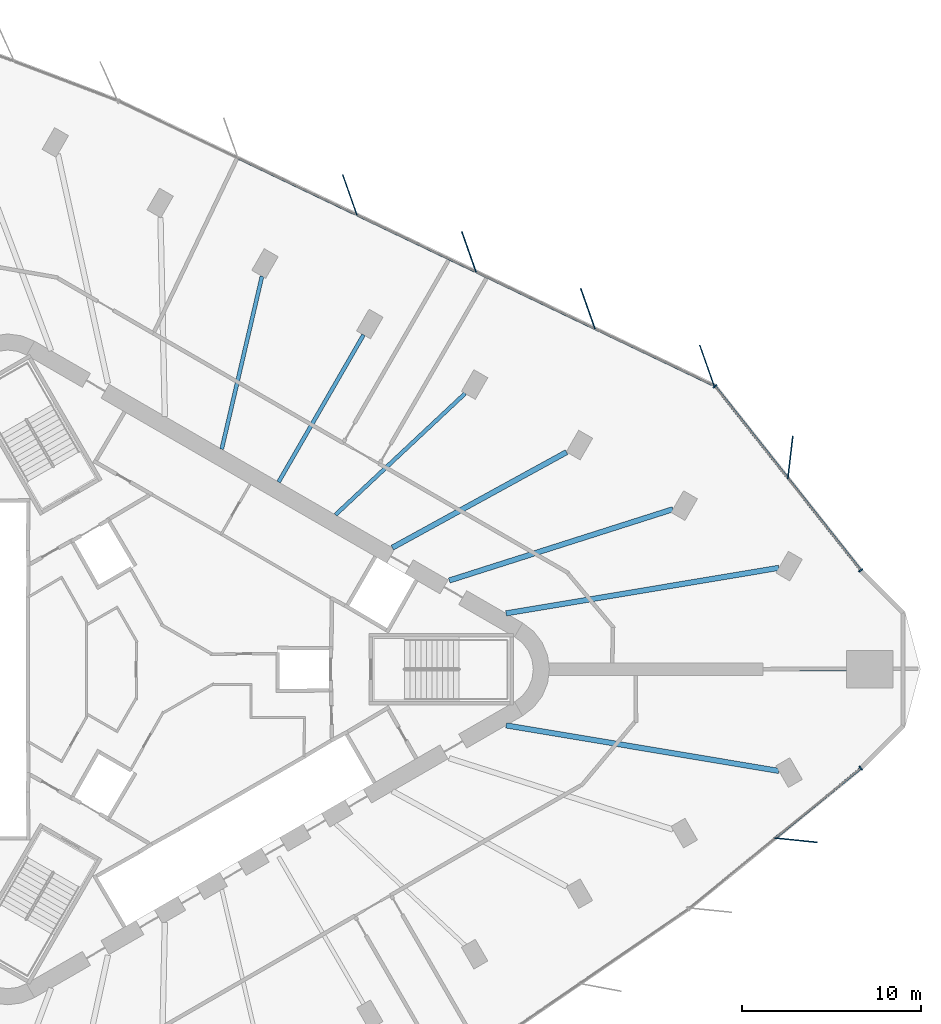
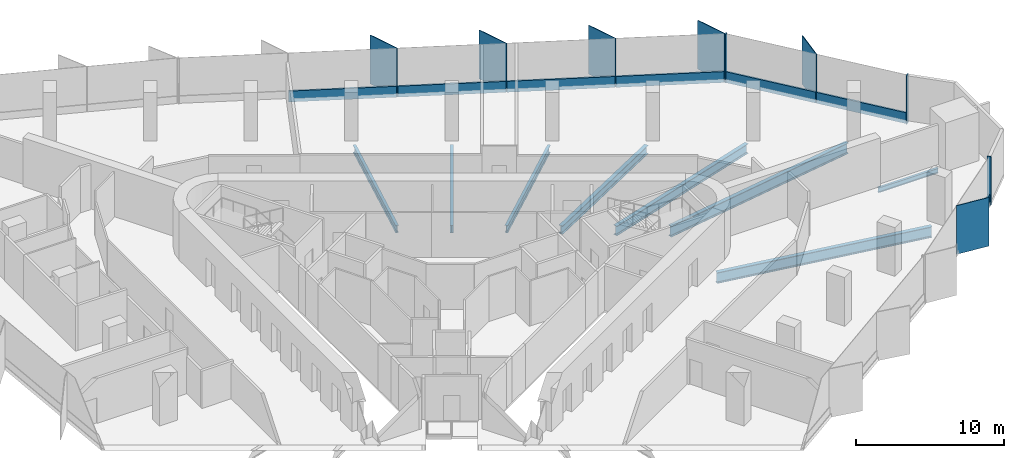
# One storey, part 5 of 13: 16 members, 8 beams, 3 elements without a shape of their own.
"""IFC4 building model written with IfcOpenShell, lengths in metres."""

from ifc_helpers import new_model, si_unit, direction, frame, origin, origin_2d, place, context, subcontext, project, spatial, rectangle, i_section, extrude, material, material_profile, profile_set, type_object, element, aggregate, save


model = new_model("IFC4")

# Units and contexts
model_context = context("Model", 3, precision=1e-05, world=origin(), true_north=direction((0.0, 1.0)))
body_context = subcontext(model_context, "Body", "Model", "MODEL_VIEW")
ifc_project = project(units=[si_unit("LENGTHUNIT", "METRE"), si_unit("AREAUNIT", "SQUARE_METRE"), si_unit("VOLUMEUNIT", "CUBIC_METRE"), si_unit("PLANEANGLEUNIT", "RADIAN"), si_unit("MASSUNIT", "GRAM", prefix="KILO")], contexts=[model_context])

# Site, building, storey
site_placement = place(None, origin())
site = spatial("IfcSite", under=ifc_project, at=site_placement, CompositionType="ELEMENT")
building_placement = place(site_placement, origin())
building = spatial("IfcBuilding", under=site, at=building_placement, Name="Tanit Gate Tower", CompositionType="ELEMENT")
storey_placement = place(building_placement, frame((0.0, 0.0, 201.199951171875)))
storey = spatial("IfcBuildingStorey", under=building, at=storey_placement, Name="L44", CompositionType="ELEMENT", Elevation=201.199951171875)

# Curtain wall, member
ifc_material_1 = material(Name="Aluminium bronze anodised and glass", Category="aluminium")
curtain_wall_type = type_object("IfcCurtainWallType", Name="Curtain wall typical mid", PredefinedType="NOTDEFINED", material=ifc_material_1)
curtain_wall_1_placement = place(storey_placement, origin())
curtain_wall_1 = element("IfcCurtainWall", 1, at=curtain_wall_1_placement, inside=storey, type_object=curtain_wall_type, Name="Curtain wall L44 NE1", PredefinedType="NOTDEFINED")
ifc_material_2 = material(Name="Aluminium bronze anodised", Category="aluminium")
ifc_material_profile_1 = material_profile(ifc_material_2, rectangle(XDim=2.39990234375, YDim=0.055908203125, at=origin_2d()), Name="56x2400 bronze fin mullion")
ifc_profile_set_1 = profile_set([ifc_material_profile_1], Name="Aluminium bronze anodised")
member_type_1 = type_object("IfcMemberType", Name="FIN MULLION 56x2400 bronze", PredefinedType="MULLION", material=ifc_profile_set_1)
member_1_placement = place(storey_placement, frame((34.67626953125, 11.859619140625, -0.300048828125), z_axis=(0.0, 0.0, 1.0), x_axis=(-0.115536669709, -0.993303215515, 0.0)))
member_1 = element("IfcMember", 2, at=member_1_placement, type_object=member_type_1, Name="Fin mullion L44 NE1.2", PredefinedType="MULLION", context=body_context, shape_type="SweptSolid", body=[
    extrude(rectangle(XDim=2.39990234375, YDim=0.055908203125, at=origin_2d()), origin(), (0.0, 0.0, 1.0), 4.0),
])

# Curtain wall, members
curtain_wall_2_placement = place(storey_placement, origin())
curtain_wall_2 = element("IfcCurtainWall", 3, at=curtain_wall_2_placement, inside=storey, type_object=curtain_wall_type, Name="Curtain wall L44 NE2", PredefinedType="NOTDEFINED")
member_2_placement = place(storey_placement, frame((30.011962890625, 16.995849609375, -0.300048828125), z_axis=(0.0, 0.0, 1.0), x_axis=(0.333220063881, -0.942849080727, 0.0)))
member_2 = element("IfcMember", 4, at=member_2_placement, type_object=member_type_1, Name="Fin mullion L44 NE2.1", PredefinedType="MULLION", context=body_context, shape_type="SweptSolid", body=[
    extrude(rectangle(XDim=2.39990234375, YDim=0.055908203125, at=origin_2d()), origin(), (0.0, 0.0, 1.0), 4.0),
])
member_3_placement = place(storey_placement, frame((23.353759765625, 20.1767578125, -0.300048828125), z_axis=(0.0, 0.0, 1.0), x_axis=(0.333220063881, -0.942849080727, 0.0)))
member_3 = element("IfcMember", 5, at=member_3_placement, type_object=member_type_1, Name="Fin mullion L44 NE2.2", PredefinedType="MULLION", context=body_context, shape_type="SweptSolid", body=[
    extrude(rectangle(XDim=2.39990234375, YDim=0.055908203125, at=origin_2d()), origin(), (0.0, 0.0, 1.0), 4.0),
])
member_4_placement = place(storey_placement, frame((16.69580078125, 23.357421875, -0.300048828125), z_axis=(0.0, 0.0, 1.0), x_axis=(0.333220063881, -0.942849080727, 0.0)))
member_4 = element("IfcMember", 6, at=member_4_placement, type_object=member_type_1, Name="Fin mullion L44 NE2.3", PredefinedType="MULLION", context=body_context, shape_type="SweptSolid", body=[
    extrude(rectangle(XDim=2.39990234375, YDim=0.055908203125, at=origin_2d()), origin(), (0.0, 0.0, 1.0), 4.0),
])
member_5_placement = place(storey_placement, frame((10.037841796875, 26.538330078125, -0.300048828125), z_axis=(0.0, 0.0, 1.0), x_axis=(0.333220063881, -0.942849080727, 0.0)))
member_5 = element("IfcMember", 7, at=member_5_placement, type_object=member_type_1, Name="Fin mullion L44 NE2.4", PredefinedType="MULLION", context=body_context, shape_type="SweptSolid", body=[
    extrude(rectangle(XDim=2.39990234375, YDim=0.055908203125, at=origin_2d()), origin(), (0.0, 0.0, 1.0), 4.0),
])

# Curtain wall, member
curtain_wall_3_placement = place(storey_placement, origin())
curtain_wall_3 = element("IfcCurtainWall", 8, at=curtain_wall_3_placement, inside=storey, type_object=curtain_wall_type, Name="Curtain wall L44 SE3", PredefinedType="NOTDEFINED")
member_6_placement = place(storey_placement, frame((34.999755859375, -9.555419921875, -0.300048828125), z_axis=(0.0, 0.0, 1.0), x_axis=(-0.994923483617, 0.10063429707, 0.0)))
member_6 = element("IfcMember", 9, at=member_6_placement, type_object=member_type_1, Name="Fin mullion L44 SE3.2", PredefinedType="MULLION", context=body_context, shape_type="SweptSolid", body=[
    extrude(rectangle(XDim=2.39990234375, YDim=0.055908203125, at=origin_2d()), origin(), (0.0, 0.0, 1.0), 4.0),
])

# Member
ifc_material_3 = material(Name="Aluminium bronze anodised", Category="aluminium")
ifc_material_profile_2 = material_profile(ifc_material_3, rectangle(XDim=0.260009765625, YDim=0.080078125, at=origin_2d()), Name="80x260 bronze mullion")
ifc_profile_set_2 = profile_set([ifc_material_profile_2], Name="Aluminium bronze anodised")
member_type_2 = type_object("IfcMemberType", Name="Mullion 80x260 typical mid", PredefinedType="MULLION", material=ifc_profile_set_2)
member_7_placement = place(storey_placement, frame((38.61474609375, 5.54150390625, -0.300048828125), z_axis=(0.0, 0.0, 1.0), x_axis=(-0.784068202092, -0.620674676838, 0.0)))
member_7 = element("IfcMember", 10, at=member_7_placement, type_object=member_type_2, Name="Mullion L44 NE1.1", PredefinedType="MULLION", context=body_context, shape_type="SweptSolid", body=[
    extrude(rectangle(XDim=0.260009765625, YDim=0.080078125, at=origin_2d()), origin(), (0.0, 0.0, 1.0), 4.0),
])

member_8_placement = place(storey_placement, frame((30.465576171875, 15.8359375, -0.300048828125), z_axis=(0.0, 0.0, 1.0), x_axis=(-0.784068202092, -0.620674676838, 0.0)))
member_8 = element("IfcMember", 11, at=member_8_placement, type_object=member_type_2, Name="Mullion L44 NE1.3", PredefinedType="MULLION", context=body_context, shape_type="SweptSolid", body=[
    extrude(rectangle(XDim=0.260009765625, YDim=0.080078125, at=origin_2d()), origin(), (0.0, 0.0, 1.0), 4.0),
])

member_9_placement = place(storey_placement, frame((38.61767578125, -5.5263671875, -0.300048828125), z_axis=(0.0, 0.0, 1.0), x_axis=(-0.63235794815, 0.774676335905, 0.0)))
member_9 = element("IfcMember", 12, at=member_9_placement, type_object=member_type_2, Name="Mullion L44 SE3.3", PredefinedType="MULLION", context=body_context, shape_type="SweptSolid", body=[
    extrude(rectangle(XDim=0.260009765625, YDim=0.080078125, at=origin_2d()), origin(), (0.0, 0.0, 1.0), 4.0),
])

# Beams
ifc_material_4 = material(Name="Steel S355", Category="steel")
ifc_material_profile_3 = material_profile(ifc_material_4, i_section(OverallWidth=0.300048828125, OverallDepth=0.68994140625, WebThickness=0.014404296875, FlangeThickness=0.027099609375, FilletRadius=0.027099609375, at=origin_2d()), Name="HEA 700")
ifc_profile_set_3 = profile_set([ifc_material_profile_3], Name="Steel S355")
beam_type_1 = type_object("IfcBeamType", Name="RADIAL GIRDER HEA 700 S355", PredefinedType="BEAM", material=ifc_profile_set_3)
beam_1_placement = place(storey_placement, frame((22.16259765625, 12.152587890625, -0.64501953125), z_axis=(-0.876836895989, -0.480787955165, 0.0), x_axis=(0.480787955165, -0.876836895989, 0.0)))
element("IfcBeam", 13, at=beam_1_placement, inside=storey, type_object=beam_type_1, Name="RADIAL GIRDER", PredefinedType="BEAM", context=body_context, shape_type="SweptSolid", body=[
    extrude(i_section(OverallWidth=0.300048828125, OverallDepth=0.68994140625, WebThickness=0.014404296875, FlangeThickness=0.027099609375, FilletRadius=0.027099609375, at=origin_2d()), origin(), (0.0, 0.0, 1.0), 11.1181640625),
])
ifc_material_5 = material(Name="Steel S355", Category="steel")
ifc_material_profile_4 = material_profile(ifc_material_5, i_section(OverallWidth=0.300048828125, OverallDepth=0.7900390625, WebThickness=0.014892578125, FlangeThickness=0.028076171875, FilletRadius=0.030029296875, at=origin_2d()), Name="HEA 800")
ifc_profile_set_4 = profile_set([ifc_material_profile_4], Name="Steel S355")
beam_type_2 = type_object("IfcBeamType", Name="RADIAL GIRDER HEA 800 S355", PredefinedType="BEAM", material=ifc_profile_set_4)
beam_2_placement = place(storey_placement, frame((28.107666015625, 8.9580078125, -0.695068359375), z_axis=(-0.952781377786, -0.303657119369, 0.0), x_axis=(0.303657119369, -0.952781377786, 0.0)))
element("IfcBeam", 14, at=beam_2_placement, inside=storey, type_object=beam_type_2, Name="RADIAL GIRDER", PredefinedType="BEAM", context=body_context, shape_type="SweptSolid", body=[
    extrude(i_section(OverallWidth=0.300048828125, OverallDepth=0.7900390625, WebThickness=0.014892578125, FlangeThickness=0.028076171875, FilletRadius=0.030029296875, at=origin_2d()), origin(), (0.0, 0.0, 1.0), 13.132568359375),
])
ifc_material_6 = material(Name="Steel S355", Category="steel")
ifc_material_profile_5 = material_profile(ifc_material_6, i_section(OverallWidth=0.300048828125, OverallDepth=0.889892578125, WebThickness=0.01611328125, FlangeThickness=0.030029296875, FilletRadius=0.030029296875, at=origin_2d()), Name="HEA 900")
ifc_profile_set_5 = profile_set([ifc_material_profile_5], Name="Steel S355")
beam_type_3 = type_object("IfcBeamType", Name="RADIAL GIRDER HEA 900 S355", PredefinedType="BEAM", material=ifc_profile_set_5)
for number, where, z_axis, x_axis, name in (
    (15, (34.033203125, -5.679443359375, -0.744873046875), (-0.986358065875, 0.164613990543, 0.0), (-0.164613990543, -0.986358065875, 0.0), "RADIAL GIRDER"),
    (16, (34.033203125, 5.679443359375, -0.744873046875), (-0.986358065875, -0.164613990543, 0.0), (0.164613990543, -0.986358065875, 0.0), "RADIAL GIRDER"),
):
    element("IfcBeam", number, at=place(storey_placement, frame(where, z_axis=z_axis, x_axis=x_axis)), inside=storey, type_object=beam_type_3, Name=name, PredefinedType="BEAM", context=body_context, shape_type="SweptSolid", body=[
        extrude(i_section(OverallWidth=0.300048828125, OverallDepth=0.889892578125, WebThickness=0.01611328125, FlangeThickness=0.030029296875, FilletRadius=0.030029296875, at=origin_2d()), origin(), (0.0, 0.0, 1.0), 15.46728515625),
    ])
ifc_material_7 = material(Name="Steel S355", Category="steel")
ifc_material_profile_6 = material_profile(ifc_material_7, i_section(OverallWidth=0.179931640625, OverallDepth=0.39990234375, WebThickness=0.008544921875, FlangeThickness=0.013427734375, FilletRadius=0.02099609375, at=origin_2d()), Name="IPE 400")
ifc_profile_set_6 = profile_set([ifc_material_profile_6], Name="Steel S355")
beam_type_4 = type_object("IfcBeamType", Name="RADIAL GIRDER IPE 400 S355", PredefinedType="BEAM", material=ifc_profile_set_6)
beam_3_placement = place(storey_placement, frame((37.806640625, 0.0, -0.5), z_axis=(-1.0, 0.0, 0.0), x_axis=(0.0, -1.0, 0.0)))
element("IfcBeam", 17, at=beam_3_placement, inside=storey, type_object=beam_type_4, Name="RADIAL GIRDER", PredefinedType="BEAM", context=body_context, shape_type="SweptSolid", body=[
    extrude(i_section(OverallWidth=0.179931640625, OverallDepth=0.39990234375, WebThickness=0.008544921875, FlangeThickness=0.013427734375, FilletRadius=0.02099609375, at=origin_2d()), origin(), (0.0, 0.0, 1.0), 4.64990234375),
])
ifc_material_8 = material(Name="Steel S355", Category="steel")
ifc_material_profile_7 = material_profile(ifc_material_8, i_section(OverallWidth=0.219970703125, OverallDepth=0.60009765625, WebThickness=0.011962890625, FlangeThickness=0.01904296875, FilletRadius=0.02392578125, at=origin_2d()), Name="IPE 600")
ifc_profile_set_7 = profile_set([ifc_material_profile_7], Name="Steel S355")
beam_type_5 = type_object("IfcBeamType", Name="RADIAL GIRDER IPE 600 S355", PredefinedType="BEAM", material=ifc_profile_set_7)
beam_4_placement = place(storey_placement, frame((16.48291015625, 15.431884765625, -0.599853515625), z_axis=(-0.730001567612, -0.6834454706, 0.0), x_axis=(0.6834454706, -0.730001567612, 0.0)))
element("IfcBeam", 18, at=beam_4_placement, inside=storey, type_object=beam_type_5, Name="RADIAL GIRDER", PredefinedType="BEAM", context=body_context, shape_type="SweptSolid", body=[
    extrude(i_section(OverallWidth=0.219970703125, OverallDepth=0.60009765625, WebThickness=0.011962890625, FlangeThickness=0.01904296875, FilletRadius=0.02392578125, at=origin_2d()), origin(), (0.0, 0.0, 1.0), 9.93212890625),
])
beam_5_placement = place(storey_placement, frame((10.802978515625, 18.711181640625, -0.599853515625), z_axis=(-0.500007084799, -0.866021313335, 0.0), x_axis=(0.866021313335, -0.500007084799, 0.0)))
element("IfcBeam", 19, at=beam_5_placement, inside=storey, type_object=beam_type_5, Name="RADIAL GIRDER", PredefinedType="BEAM", context=body_context, shape_type="SweptSolid", body=[
    extrude(i_section(OverallWidth=0.219970703125, OverallDepth=0.60009765625, WebThickness=0.011962890625, FlangeThickness=0.01904296875, FilletRadius=0.02392578125, at=origin_2d()), origin(), (0.0, 0.0, 1.0), 9.503662109375),
])
beam_6_placement = place(storey_placement, frame((5.123046875, 21.990478515625, -0.599853515625), z_axis=(-0.226882255877, -0.973922195028, 0.0), x_axis=(0.973922195028, -0.226882255877, 0.0)))
element("IfcBeam", 20, at=beam_6_placement, inside=storey, type_object=beam_type_5, Name="RADIAL GIRDER", PredefinedType="BEAM", context=body_context, shape_type="SweptSolid", body=[
    extrude(i_section(OverallWidth=0.219970703125, OverallDepth=0.60009765625, WebThickness=0.011962890625, FlangeThickness=0.01904296875, FilletRadius=0.02392578125, at=origin_2d()), origin(), (0.0, 0.0, 1.0), 9.93212890625),
])

# Member
ifc_material_9 = material(Name="Aluminium bronze anodised", Category="aluminium")
ifc_material_profile_8 = material_profile(ifc_material_9, rectangle(XDim=0.139892578125, YDim=0.89990234375, at=origin_2d()), Name="140x900 bronze transom")
ifc_profile_set_8 = profile_set([ifc_material_profile_8], Name="Aluminium bronze anodised")
member_type_3 = type_object("IfcMemberType", Name="Transom 140x900 typical mid", PredefinedType="USERDEFINED", material=ifc_profile_set_8)
member_10_placement = place(storey_placement, frame((38.58984375, 5.572998046875, 0.150146484375), z_axis=(-0.620674014427, 0.784068726462, 0.0), x_axis=(-0.784068726462, -0.620674014427, 0.0)))
member_10 = element("IfcMember", 21, at=member_10_placement, type_object=member_type_3, Name="Transom L44 NE1.1", ObjectType="TRANSOM", PredefinedType="USERDEFINED", context=body_context, shape_type="SweptSolid", body=[
    extrude(rectangle(XDim=0.139892578125, YDim=0.89990234375, at=origin_2d()), origin(), (0.0, 0.0, 1.0), 6.484619140625),
])

member_11_placement = place(storey_placement, frame((34.515380859375, 10.72021484375, 0.150146484375), z_axis=(-0.620692336506, 0.784054222234, 0.0), x_axis=(-0.784054222234, -0.620692336506, 0.0)))
member_11 = element("IfcMember", 22, at=member_11_placement, type_object=member_type_3, Name="Transom L44 NE1.2", ObjectType="TRANSOM", PredefinedType="USERDEFINED", context=body_context, shape_type="SweptSolid", body=[
    extrude(rectangle(XDim=0.139892578125, YDim=0.89990234375, at=origin_2d()), origin(), (0.0, 0.0, 1.0), 6.484619140625),
])

aggregate(curtain_wall_1, [member_7, member_1, member_8, member_10, member_11])

member_12_placement = place(storey_placement, frame((30.36865234375, 15.901611328125, 0.150146484375), z_axis=(-0.902310754924, 0.431086188073, 0.0), x_axis=(-0.431086188073, -0.902310754924, 0.0)))
member_12 = element("IfcMember", 23, at=member_12_placement, type_object=member_type_3, Name="Transom L44 NE2.1", ObjectType="TRANSOM", PredefinedType="USERDEFINED", context=body_context, shape_type="SweptSolid", body=[
    extrude(rectangle(XDim=0.139892578125, YDim=0.89990234375, at=origin_2d()), origin(), (0.0, 0.0, 1.0), 7.299072265625),
])

member_13_placement = place(storey_placement, frame((23.71044921875, 19.08251953125, 0.150146484375), z_axis=(-0.902317549821, 0.431071965321, 0.0), x_axis=(-0.431071965321, -0.902317549821, 0.0)))
member_13 = element("IfcMember", 24, at=member_13_placement, type_object=member_type_3, Name="Transom L44 NE2.2", ObjectType="TRANSOM", PredefinedType="USERDEFINED", context=body_context, shape_type="SweptSolid", body=[
    extrude(rectangle(XDim=0.139892578125, YDim=0.89990234375, at=origin_2d()), origin(), (0.0, 0.0, 1.0), 7.298583984375),
])

member_14_placement = place(storey_placement, frame((17.052490234375, 22.263427734375, 0.150146484375), z_axis=(-0.902317549821, 0.431071965321, 0.0), x_axis=(-0.431071965321, -0.902317549821, 0.0)))
member_14 = element("IfcMember", 25, at=member_14_placement, type_object=member_type_3, Name="Transom L44 NE2.3", ObjectType="TRANSOM", PredefinedType="USERDEFINED", context=body_context, shape_type="SweptSolid", body=[
    extrude(rectangle(XDim=0.139892578125, YDim=0.89990234375, at=origin_2d()), origin(), (0.0, 0.0, 1.0), 7.298583984375),
])

member_15_placement = place(storey_placement, frame((10.39453125, 25.444091796875, 0.150146484375), z_axis=(-0.902323765346, 0.431058954775, 0.0), x_axis=(-0.431058954775, -0.902323765346, 0.0)))
member_15 = element("IfcMember", 26, at=member_15_placement, type_object=member_type_3, Name="Transom L44 NE2.4", ObjectType="TRANSOM", PredefinedType="USERDEFINED", context=body_context, shape_type="SweptSolid", body=[
    extrude(rectangle(XDim=0.139892578125, YDim=0.89990234375, at=origin_2d()), origin(), (0.0, 0.0, 1.0), 7.298828125),
])

aggregate(curtain_wall_2, [member_2, member_3, member_4, member_5, member_12, member_13, member_14, member_15])

member_16_placement = place(storey_placement, frame((33.85791015625, -9.41162109375, 0.150146484375), z_axis=(0.774669596995, 0.632366203629, 0.0), x_axis=(-0.632366203629, 0.774669596995, 0.0)))
member_16 = element("IfcMember", 27, at=member_16_placement, type_object=member_type_3, Name="Transom L44 SE3.2", ObjectType="TRANSOM", PredefinedType="USERDEFINED", context=body_context, shape_type="SweptSolid", body=[
    extrude(rectangle(XDim=0.139892578125, YDim=0.89990234375, at=origin_2d()), origin(), (0.0, 0.0, 1.0), 6.104248046875),
])

aggregate(curtain_wall_3, [member_6, member_9, member_16])

save(model, "model.ifc")
